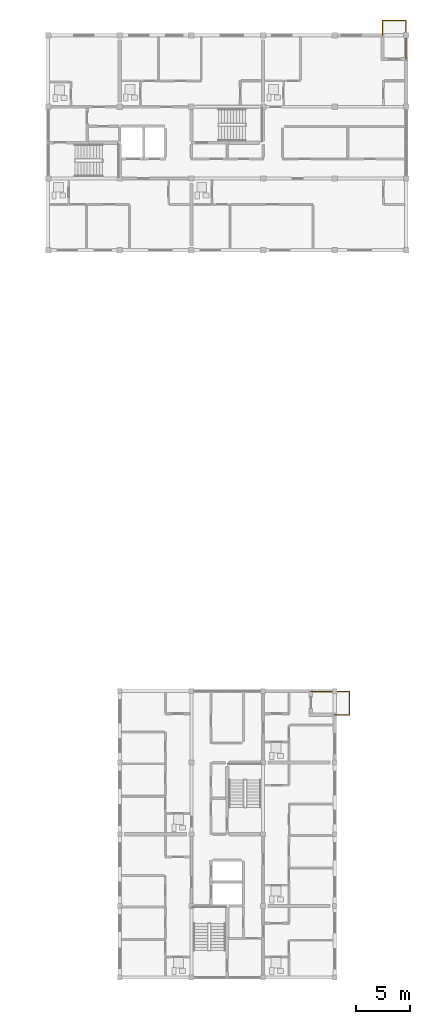
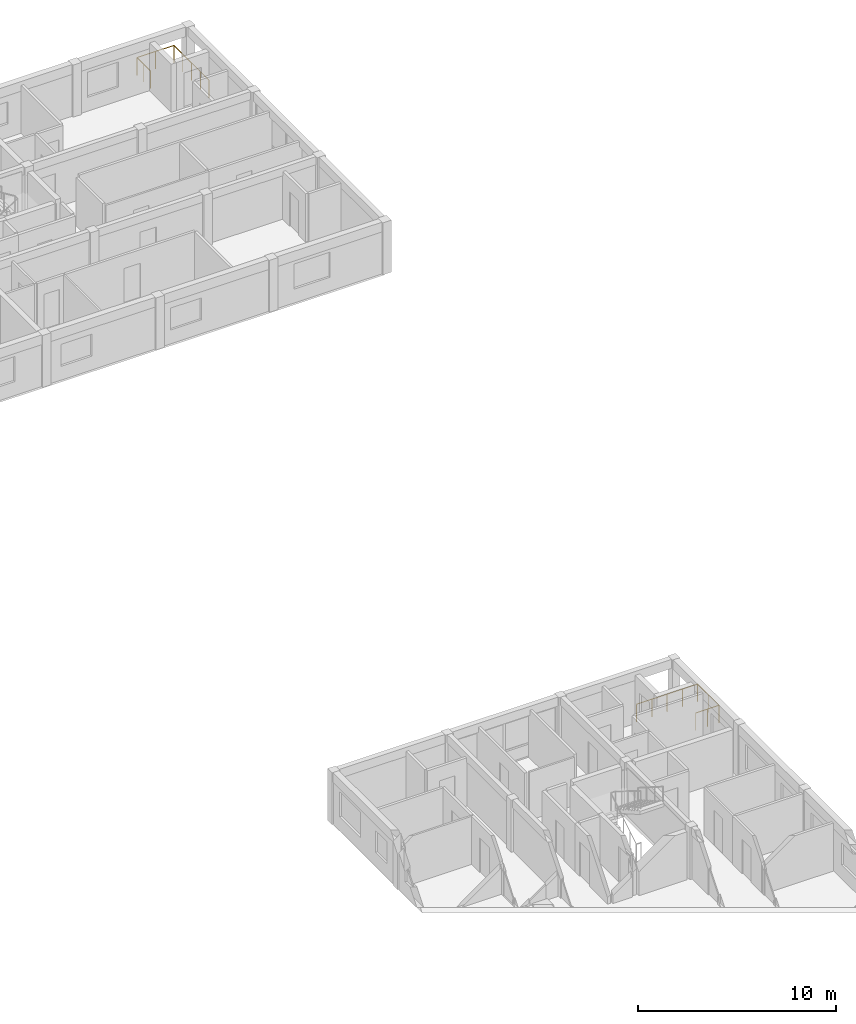
# One storey, part 44 of 45: 2 railings.
"""IFC4 building model written with IfcOpenShell, lengths in metres."""

from ifc_helpers import new_model, si_unit, direction, frame, origin, origin_2d, place, context, subcontext, project, spatial, circle, extrude, material, type_object, element, save


model = new_model("IFC4")

# Units and contexts
model_context = context("Model", 3, precision=1e-05, world=origin(), true_north=direction((0.0, 1.0)))
body_context = subcontext(model_context, "Body", "Model", "MODEL_VIEW")
ifc_project = project(units=[si_unit("LENGTHUNIT", "METRE"), si_unit("AREAUNIT", "SQUARE_METRE"), si_unit("VOLUMEUNIT", "CUBIC_METRE"), si_unit("PLANEANGLEUNIT", "RADIAN"), si_unit("MASSUNIT", "GRAM", prefix="KILO")], contexts=[model_context])

# Site, building, storey
site_placement = place(None, origin())
site = spatial("IfcSite", under=ifc_project, at=site_placement, CompositionType="ELEMENT")
building_placement = place(site_placement, origin())
building = spatial("IfcBuilding", under=site, at=building_placement, Name="Kernevlak Ridge Housing Community", CompositionType="ELEMENT")
storey_placement = place(building_placement, frame((0.0, 0.0, 14.800048828125)))
storey = spatial("IfcBuildingStorey", under=building, at=storey_placement, Name="L04", CompositionType="ELEMENT", Elevation=14.800048828125)

# Railings
ifc_material = material(Name="Steel S355", Category="steel")
railing_type = type_object("IfcRailingType", Name="BL-01", PredefinedType="BALUSTRADE", material=ifc_material)
railing_1_placement = place(storey_placement, frame((150.199951171875, 102.39990234375, 0.0)))
element("IfcRailing", 1, at=railing_1_placement, inside=storey, type_object=railing_type, Name="Block B L04 balcony balustrade BL-01 22", PredefinedType="BALUSTRADE", context=body_context, shape_type="SweptSolid", body=[
    extrude(circle(Radius=0.02392578125, at=origin_2d()), frame((0.0, 0.0, 1.076171875), z_axis=(0.0, 1.0, 0.0), x_axis=(-1.0, 0.0, 0.0)), (0.0, 0.0, 1.0), 1.35009765625),
    extrude(circle(Radius=0.02392578125, at=origin_2d()), frame((0.0, 1.35009765625, 1.076171875), z_axis=(1.0, 0.0, 0.0), x_axis=(0.0, 1.0, 0.0)), (0.0, 0.0, 1.0), 2.150146484375),
    extrude(circle(Radius=0.02392578125, at=origin_2d()), frame((2.150146484375, 1.35009765625, 1.076171875), z_axis=(0.0, -1.0, 0.0), x_axis=(1.0, 0.0, 0.0)), (0.0, 0.0, 1.0), 3.550048828125),
    extrude(circle(Radius=0.02099609375, at=origin_2d()), origin(), (0.0, 0.0, 1.0), 1.052001953125),
    extrude(circle(Radius=0.02099609375, at=origin_2d()), frame((0.0, 0.675048828125, 0.0)), (0.0, 0.0, 1.0), 1.052001953125),
    extrude(circle(Radius=0.02099609375, at=origin_2d()), frame((0.0, 1.35009765625, 0.0)), (0.0, 0.0, 1.0), 1.052001953125),
    extrude(circle(Radius=0.02099609375, at=origin_2d()), frame((1.0751953125, 1.35009765625, 0.0)), (0.0, 0.0, 1.0), 1.052001953125),
    extrude(circle(Radius=0.02099609375, at=origin_2d()), frame((2.150146484375, 1.35009765625, 0.0)), (0.0, 0.0, 1.0), 1.052001953125),
    extrude(circle(Radius=0.02099609375, at=origin_2d()), frame((2.150146484375, 0.462646484375, 0.0)), (0.0, 0.0, 1.0), 1.052001953125),
    extrude(circle(Radius=0.02099609375, at=origin_2d()), frame((2.150146484375, -0.4248046875, 0.0)), (0.0, 0.0, 1.0), 1.052001953125),
    extrude(circle(Radius=0.02099609375, at=origin_2d()), frame((2.150146484375, -1.3125, 0.0)), (0.0, 0.0, 1.0), 1.052001953125),
    extrude(circle(Radius=0.02099609375, at=origin_2d()), frame((2.150146484375, -2.199951171875, 0.0)), (0.0, 0.0, 1.0), 1.052001953125),
])
railing_2_placement = place(storey_placement, frame((145.800048828125, 39.800048828125, 0.0)))
element("IfcRailing", 2, at=railing_2_placement, inside=storey, type_object=railing_type, Name="Block C L04 balcony balustrade BL-01 37", PredefinedType="BALUSTRADE", context=body_context, shape_type="SweptSolid", body=[
    extrude(circle(Radius=0.02392578125, at=origin_2d()), frame((0.0, 0.0, 1.076171875), z_axis=(1.0, 0.0, 0.0), x_axis=(0.0, 1.0, 0.0)), (0.0, 0.0, 1.0), 1.349853515625),
    extrude(circle(Radius=0.02392578125, at=origin_2d()), frame((1.349853515625, 0.0, 1.076171875), z_axis=(0.0, 1.0, 0.0), x_axis=(-1.0, 0.0, 0.0)), (0.0, 0.0, 1.0), 2.14990234375),
    extrude(circle(Radius=0.02392578125, at=origin_2d()), frame((1.349853515625, 2.14990234375, 1.076171875), z_axis=(-1.0, 0.0, 0.0), x_axis=(0.0, -1.0, 0.0)), (0.0, 0.0, 1.0), 3.5498046875),
    extrude(circle(Radius=0.02099609375, at=origin_2d()), origin(), (0.0, 0.0, 1.0), 1.052001953125),
    extrude(circle(Radius=0.02099609375, at=origin_2d()), frame((0.6748046875, 0.0, 0.0)), (0.0, 0.0, 1.0), 1.052001953125),
    extrude(circle(Radius=0.02099609375, at=origin_2d()), frame((1.349853515625, 0.0, 0.0)), (0.0, 0.0, 1.0), 1.052001953125),
    extrude(circle(Radius=0.02099609375, at=origin_2d()), frame((1.349853515625, 1.074951171875, 0.0)), (0.0, 0.0, 1.0), 1.052001953125),
    extrude(circle(Radius=0.02099609375, at=origin_2d()), frame((1.349853515625, 2.14990234375, 0.0)), (0.0, 0.0, 1.0), 1.052001953125),
    extrude(circle(Radius=0.02099609375, at=origin_2d()), frame((0.46240234375, 2.14990234375, 0.0)), (0.0, 0.0, 1.0), 1.052001953125),
    extrude(circle(Radius=0.02099609375, at=origin_2d()), frame((-0.425048828125, 2.14990234375, 0.0)), (0.0, 0.0, 1.0), 1.052001953125),
    extrude(circle(Radius=0.02099609375, at=origin_2d()), frame((-1.3125, 2.14990234375, 0.0)), (0.0, 0.0, 1.0), 1.052001953125),
    extrude(circle(Radius=0.02099609375, at=origin_2d()), frame((-2.199951171875, 2.14990234375, 0.0)), (0.0, 0.0, 1.0), 1.052001953125),
])

save(model, "model.ifc")
